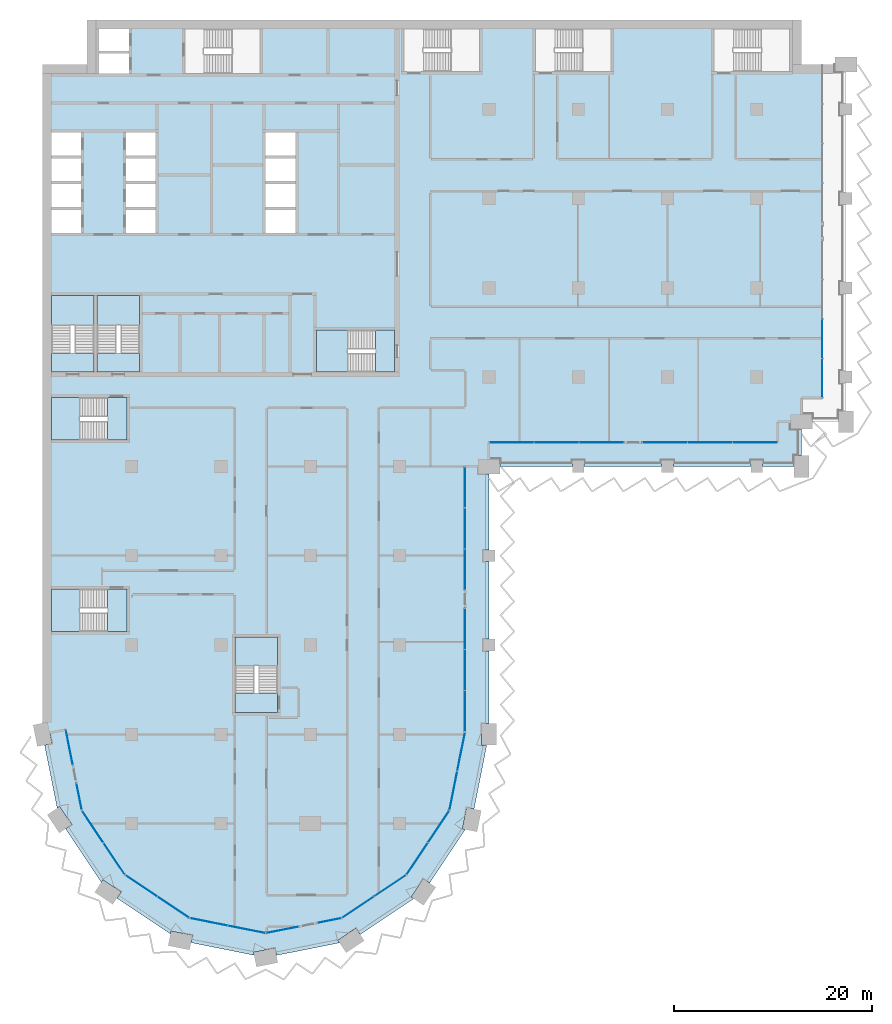
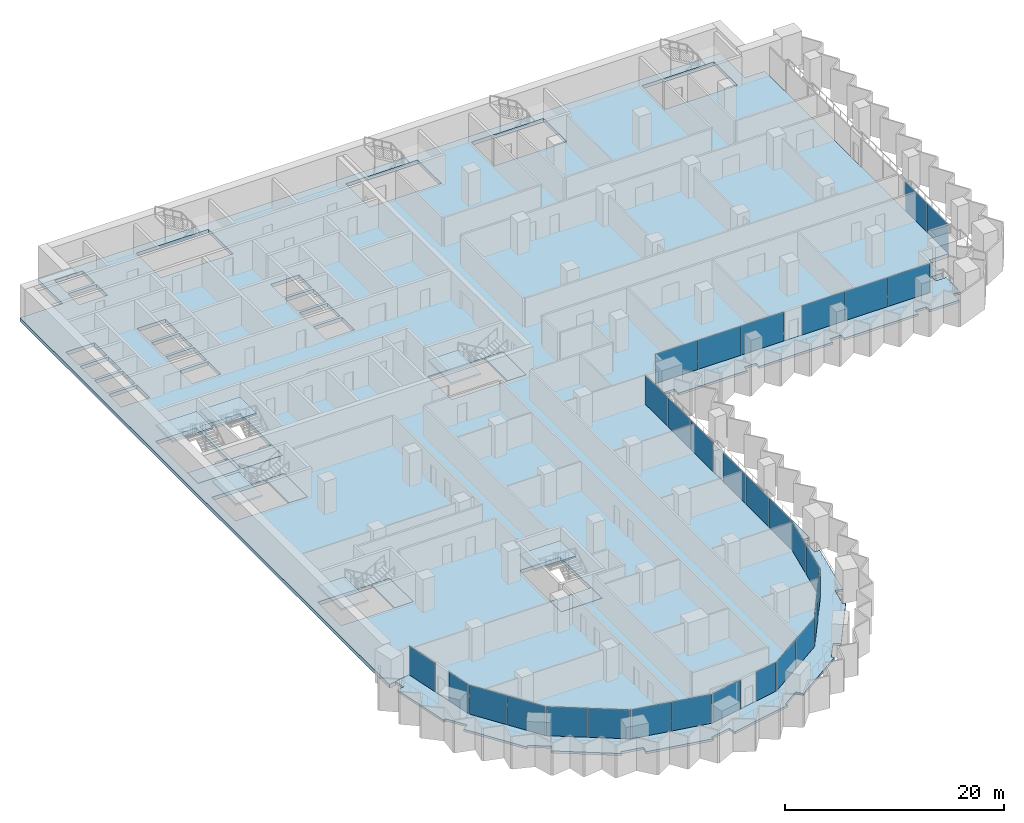
# One storey, part 7 of 22: 30 plates, 15 slabs, 21 elements without a shape of their own.
"""IFC4 building model written with IfcOpenShell, lengths in metres."""

import ifcopenshell
import ifcopenshell.guid

model = None  # the IFC model being written
_history = None  # IfcOwnerHistory: only IFC2X3 demands one
_inside = {}  # id of a spatial element -> (the spatial element, [elements in it])
_under = {}  # id of a project, library or spatial element -> (it, [spatial elements below it])
_declared = {}  # id of a project -> (the project, [libraries it declares])
_typed = {}  # id of a type object -> (the type object, [elements of that type])
_made_of = {}  # id of a material, layer set ... -> (it, [elements and type objects made of it])


def new_model(schema):
    """Start an empty IFC model of exactly this schema.

    Asked for "IFC4X3", IfcOpenShell would pick the latest addendum, in which some entities
    have other attributes; the version numbers below select the first issue.
    IFC2X3 requires an IfcOwnerHistory on every rooted entity: one is made here for all.
    """
    global model, _history
    if schema == "IFC4X3":
        model = ifcopenshell.file(schema_version=(4, 3, 0, 0))
    else:
        model = ifcopenshell.file(schema=schema)
    _inside.clear()
    _under.clear()
    _declared.clear()
    _typed.clear()
    _made_of.clear()
    _history = None
    if model.schema == "IFC2X3":
        org = make("IfcOrganization", Name="unknown")
        user = make(
            "IfcPersonAndOrganization",
            ThePerson=make("IfcPerson", FamilyName="unknown"),
            TheOrganization=org,
        )
        app = make(
            "IfcApplication",
            ApplicationDeveloper=org,
            Version="unknown",
            ApplicationFullName="unknown",
            ApplicationIdentifier="unknown",
        )
        _history = make(
            "IfcOwnerHistory",
            OwningUser=user,
            OwningApplication=app,
            ChangeAction="ADDED",
            CreationDate=0,
        )
    return model


def make(cls, **values):
    """One entity of the class cls with the attributes given. An attribute that is None is left unset."""
    return model.create_entity(
        cls, **{name: value for name, value in values.items() if value is not None}
    )


def rooted(cls, **values):
    """An entity with a GlobalId (a new one), such as an element, a storey or a relation."""
    return make(cls, GlobalId=ifcopenshell.guid.new(), OwnerHistory=_history, **values)


def si_unit(unit_type, name, prefix=None):
    """IfcSIUnit, for example si_unit("LENGTHUNIT", "METRE", prefix="MILLI")."""
    return make("IfcSIUnit", UnitType=unit_type, Prefix=prefix, Name=name)


def assignment(units):
    """IfcUnitAssignment: the units of a project."""
    return None if units is None else make("IfcUnitAssignment", Units=units)


def point(xyz):
    """IfcCartesianPoint."""
    return None if xyz is None else make("IfcCartesianPoint", Coordinates=xyz)


def direction(xyz):
    """IfcDirection."""
    return None if xyz is None else make("IfcDirection", DirectionRatios=xyz)


def frame(location, z_axis=None, x_axis=None):
    """IfcAxis2Placement3D, a coordinate frame: its origin and axes. An axis left out is left unset."""
    return make(
        "IfcAxis2Placement3D",
        Location=point(location),
        Axis=direction(z_axis),
        RefDirection=direction(x_axis),
    )


def frame_2d(location, x_axis=None):
    """IfcAxis2Placement2D, a coordinate frame in the plane: its origin and x axis."""
    return make(
        "IfcAxis2Placement2D", Location=point(location), RefDirection=direction(x_axis)
    )


def origin():
    """The frame at (0, 0, 0) with its axes left unset."""
    return frame((0.0, 0.0, 0.0))


def origin_2d():
    """The frame at (0, 0) in the plane with its x axis left unset."""
    return frame_2d((0.0, 0.0))


def place(relative_to, where):
    """IfcLocalPlacement: puts the frame where relative to a parent placement (None: the world)."""
    return make(
        "IfcLocalPlacement", PlacementRelTo=relative_to, RelativePlacement=where
    )


def context(
    kind, dimensions, precision=None, world=None, true_north=None, identifier=None
):
    """IfcGeometricRepresentationContext, for example the 3D "Model" context."""
    return make(
        "IfcGeometricRepresentationContext",
        ContextIdentifier=identifier,
        ContextType=kind,
        CoordinateSpaceDimension=dimensions,
        Precision=precision,
        WorldCoordinateSystem=world,
        TrueNorth=true_north,
    )


def subcontext(parent, identifier, kind, view, scale=None):
    """IfcGeometricRepresentationSubContext, for example "Body" below "Model"."""
    return make(
        "IfcGeometricRepresentationSubContext",
        ContextIdentifier=identifier,
        ContextType=kind,
        ParentContext=parent,
        TargetScale=scale,
        TargetView=view,
    )


def project(units=None, contexts=None):
    """IfcProject with its units and contexts."""
    return rooted(
        "IfcProject",
        Name="project",
        RepresentationContexts=contexts,
        UnitsInContext=assignment(units),
    )


def spatial(cls, under=None, at=None, **own):
    """A site, building, storey or space (cls), placed at a placement, below another one or the project."""
    s = rooted(cls, ObjectPlacement=at, **own)
    if under is not None:
        _under.setdefault(under.id(), (under, []))[1].append(s)
    return s


def polyline(points):
    """IfcPolyline through the points."""
    return make("IfcPolyline", Points=[point(p) for p in points])


def profile(cls, at=None, kind="AREA", **sizes):
    """A parametric profile (cls). Its sizes go by their IFC names, for example OverallWidth=200.0."""
    return make(cls, ProfileType=kind, Position=at, **sizes)


def rectangle(**sizes):
    """IfcRectangleProfileDef."""
    return profile("IfcRectangleProfileDef", **sizes)


def outline(outer, holes=None, kind="AREA"):
    """IfcArbitraryClosedProfileDef: a profile drawn as a closed curve; with holes, ...WithVoids."""
    if holes is None:
        return make("IfcArbitraryClosedProfileDef", ProfileType=kind, OuterCurve=outer)
    return make(
        "IfcArbitraryProfileDefWithVoids",
        ProfileType=kind,
        OuterCurve=outer,
        InnerCurves=holes,
    )


def extrude(swept, where, along, depth):
    """IfcExtrudedAreaSolid: the profile swept, set in the frame where, extruded along a direction by depth."""
    return make(
        "IfcExtrudedAreaSolid",
        SweptArea=swept,
        Position=where,
        ExtrudedDirection=direction(along),
        Depth=depth,
    )


def shape(context_of_items, identifier, shape_type, items):
    """IfcShapeRepresentation: the items that make up one representation, for example the "Body"."""
    return make(
        "IfcShapeRepresentation",
        ContextOfItems=context_of_items,
        RepresentationIdentifier=identifier,
        RepresentationType=shape_type,
        Items=items,
    )


def material(Name=None, Category=None):
    """IfcMaterial."""
    return make("IfcMaterial", Name=Name, Category=Category)


def layer(
    of_material, thickness, ventilated=None, Name=None, Category=None, Priority=None
):
    """IfcMaterialLayer: one layer of a wall or slab, of a material (None: an air gap)."""
    return make(
        "IfcMaterialLayer",
        Material=of_material,
        LayerThickness=thickness,
        IsVentilated=ventilated,
        Name=Name,
        Category=Category,
        Priority=Priority,
    )


def layer_set(layers, Name=None):
    """IfcMaterialLayerSet."""
    return make("IfcMaterialLayerSet", MaterialLayers=layers, LayerSetName=Name)


def made_of(thing, what):
    """Note that an element or type object is made of a material, layer set ...; save() writes the relation."""
    if what is not None:
        _made_of.setdefault(what.id(), (what, []))[1].append(thing)
    return thing


def type_object(cls, material=None, **own):
    """A type object (cls), such as IfcWallType, which elements share."""
    return made_of(rooted(cls, **own), material)


def element(
    cls,
    number,
    at=None,
    inside=None,
    cuts=None,
    type_object=None,
    material=None,
    context=None,
    identifier="Body",
    shape_type=None,
    held_by="IfcProductDefinitionShape",
    body=None,
    shapes=None,
    **own,
):
    """One element of the class cls, such as IfcWall. Its Tag is "e" and its number.

    at: its placement. inside: the storey or other place that contains it. cuts: it is an
    opening in that element (IfcRelVoidsElement). A single representation is given by context,
    identifier, shape_type and body (its items); several are given by shapes. held_by: the class
    of the entity that holds the representations. save() writes the other relations.
    """
    e = rooted(cls, Tag="e%d" % number, ObjectPlacement=at, **own)
    if body is not None:
        shapes = [shape(context, identifier, shape_type, body)]
    if shapes is not None:
        e.Representation = make(held_by, Representations=shapes)
    if inside is not None:
        _inside.setdefault(inside.id(), (inside, []))[1].append(e)
    if cuts is not None:
        rooted(
            "IfcRelVoidsElement", RelatingBuildingElement=cuts, RelatedOpeningElement=e
        )
    if type_object is not None:
        _typed.setdefault(type_object.id(), (type_object, []))[1].append(e)
    return made_of(e, material)


def aggregate(whole, parts):
    """IfcRelAggregates: a whole, such as a stair, and the parts it consists of."""
    return rooted("IfcRelAggregates", RelatingObject=whole, RelatedObjects=parts)


def save(model, path):
    """Write the relations noted so far, then the file.

    IfcRelAggregates (storeys below a building ...), IfcRelContainedInSpatialStructure (elements
    in a storey), IfcRelDefinesByType, IfcRelAssociatesMaterial and IfcRelDeclares: one each for
    every whole, place, type object, material and project.
    """
    for whole, parts in _under.values():
        aggregate(whole, parts)
    for where, things in _inside.values():
        rooted(
            "IfcRelContainedInSpatialStructure",
            RelatedElements=things,
            RelatingStructure=where,
        )
    for kind, things in _typed.values():
        rooted("IfcRelDefinesByType", RelatedObjects=things, RelatingType=kind)
    for what, things in _made_of.values():
        rooted("IfcRelAssociatesMaterial", RelatedObjects=things, RelatingMaterial=what)
    for by, libraries in _declared.values():
        rooted("IfcRelDeclares", RelatingContext=by, RelatedDefinitions=libraries)
    model.write(path)


model = new_model("IFC4")

# Units and contexts
model_context = context("Model", 3, precision=1e-05, world=origin(), true_north=direction((0.0, 1.0)))
body_context = subcontext(model_context, "Body", "Model", "MODEL_VIEW")
ifc_project = project(units=[si_unit("LENGTHUNIT", "METRE"), si_unit("AREAUNIT", "SQUARE_METRE"), si_unit("VOLUMEUNIT", "CUBIC_METRE"), si_unit("PLANEANGLEUNIT", "RADIAN"), si_unit("MASSUNIT", "GRAM", prefix="KILO")], contexts=[model_context])

# Site, building, storey
site_placement = place(None, origin())
site = spatial("IfcSite", under=ifc_project, at=site_placement, CompositionType="ELEMENT")
building_placement = place(site_placement, origin())
building = spatial("IfcBuilding", under=site, at=building_placement, Name="Hunhe Ridgeline Campus", CompositionType="ELEMENT")
storey_placement = place(building_placement, frame((0.0, 0.0, 84.800048828125)))
storey = spatial("IfcBuildingStorey", under=building, at=storey_placement, Name="L20", CompositionType="ELEMENT", Elevation=84.800048828125)

# Curtain wall, plate
ifc_material_1 = material(Name="Aluminium 6063", Category="aluminium")
curtain_wall_type_1 = type_object("IfcCurtainWallType", Name="Curtain wall CW-5", PredefinedType="NOTDEFINED", material=ifc_material_1)
curtain_wall_1_placement = place(storey_placement, origin())
curtain_wall_1 = element("IfcCurtainWall", 1, at=curtain_wall_1_placement, inside=storey, type_object=curtain_wall_type_1, Name="Curtain wall 01", PredefinedType="NOTDEFINED")
ifc_material_2 = material(Name="Low-e laminated glass", Category="glass")
ifc_layer_1 = layer(ifc_material_2, 0.028076171875)
ifc_layer_set_1 = layer_set([ifc_layer_1], Name="Curtain wall glass panel 28 low-e laminated")
plate_type = type_object("IfcPlateType", Name="Curtain wall glass panel 28 low-e laminated", PredefinedType="CURTAIN_PANEL", material=ifc_layer_set_1)
plate_1_placement = place(storey_placement, frame((2.7158203125, 25.65380859375, 0.0), z_axis=(0.0, 0.0, 1.0), x_axis=(0.195095326561, -0.980784284924, 0.0)))
plate_1 = element("IfcPlate", 2, at=plate_1_placement, type_object=plate_type, Name="CW-5 panel 1", PredefinedType="CURTAIN_PANEL", context=body_context, shape_type="SweptSolid", body=[
    extrude(rectangle(XDim=3.560791015625, YDim=0.028076171875, at=origin_2d()), origin(), (0.0, 0.0, 1.0), 3.22998046875),
])
aggregate(curtain_wall_1, [plate_1])

curtain_wall_2_placement = place(storey_placement, origin())
curtain_wall_2 = element("IfcCurtainWall", 3, at=curtain_wall_2_placement, inside=storey, type_object=curtain_wall_type_1, Name="Curtain wall 02", PredefinedType="NOTDEFINED")
plate_2_placement = place(storey_placement, frame((3.701171875, 20.699951171875, 0.0), z_axis=(0.0, 0.0, 1.0), x_axis=(0.195095265587, -0.980784297053, 0.0)))
plate_2 = element("IfcPlate", 4, at=plate_2_placement, type_object=plate_type, Name="CW-5 panel 1", PredefinedType="CURTAIN_PANEL", context=body_context, shape_type="SweptSolid", body=[
    extrude(rectangle(XDim=2.660888671875, YDim=0.028076171875, at=origin_2d()), origin(), (0.0, 0.0, 1.0), 3.22998046875),
])
aggregate(curtain_wall_2, [plate_2])

# Curtain wall, plates
curtain_wall_3_placement = place(storey_placement, origin())
curtain_wall_3 = element("IfcCurtainWall", 5, at=curtain_wall_3_placement, inside=storey, type_object=curtain_wall_type_1, Name="Curtain wall 03", PredefinedType="NOTDEFINED")
plate_3_placement = place(storey_placement, frame((5.07080078125, 17.685546875, 0.0), z_axis=(0.0, 0.0, 1.0), x_axis=(0.555570274596, -0.831469584522, 0.0)))
plate_3 = element("IfcPlate", 6, at=plate_3_placement, type_object=plate_type, Name="CW-5 panel 1", PredefinedType="CURTAIN_PANEL", context=body_context, shape_type="SweptSolid", body=[
    extrude(rectangle(XDim=3.806884765625, YDim=0.028076171875, at=origin_2d()), origin(), (0.0, 0.0, 1.0), 3.22998046875),
])
plate_4_placement = place(storey_placement, frame((7.224609375, 14.4619140625, 0.0), z_axis=(0.0, 0.0, 1.0), x_axis=(0.555570274596, -0.831469584522, 0.0)))
plate_4 = element("IfcPlate", 7, at=plate_4_placement, type_object=plate_type, Name="CW-5 panel 2", PredefinedType="CURTAIN_PANEL", context=body_context, shape_type="SweptSolid", body=[
    extrude(rectangle(XDim=3.806884765625, YDim=0.028076171875, at=origin_2d()), origin(), (0.0, 0.0, 1.0), 3.22998046875),
])
aggregate(curtain_wall_3, [plate_3, plate_4])

curtain_wall_4_placement = place(storey_placement, origin())
curtain_wall_4 = element("IfcCurtainWall", 8, at=curtain_wall_4_placement, inside=storey, type_object=curtain_wall_type_1, Name="Curtain wall 04", PredefinedType="NOTDEFINED")
plate_5_placement = place(storey_placement, frame((9.9619140625, 11.724609375, 0.0), z_axis=(0.0, 0.0, 1.0), x_axis=(0.831469584522, -0.555570274596, 0.0)))
plate_5 = element("IfcPlate", 9, at=plate_5_placement, type_object=plate_type, Name="CW-5 panel 1", PredefinedType="CURTAIN_PANEL", context=body_context, shape_type="SweptSolid", body=[
    extrude(rectangle(XDim=3.806884765625, YDim=0.028076171875, at=origin_2d()), origin(), (0.0, 0.0, 1.0), 3.22998046875),
])
plate_6_placement = place(storey_placement, frame((13.185546875, 9.57080078125, 0.0), z_axis=(0.0, 0.0, 1.0), x_axis=(0.831469584522, -0.555570274596, 0.0)))
plate_6 = element("IfcPlate", 10, at=plate_6_placement, type_object=plate_type, Name="CW-5 panel 2", PredefinedType="CURTAIN_PANEL", context=body_context, shape_type="SweptSolid", body=[
    extrude(rectangle(XDim=3.806884765625, YDim=0.028076171875, at=origin_2d()), origin(), (0.0, 0.0, 1.0), 3.22998046875),
])
aggregate(curtain_wall_4, [plate_5, plate_6])

curtain_wall_5_placement = place(storey_placement, origin())
curtain_wall_5 = element("IfcCurtainWall", 11, at=curtain_wall_5_placement, inside=storey, type_object=curtain_wall_type_1, Name="Curtain wall 05", PredefinedType="NOTDEFINED")
plate_7_placement = place(storey_placement, frame((16.761962890625, 8.08935546875, 0.0), z_axis=(0.0, 0.0, 1.0), x_axis=(0.980785275326, -0.195090347539, 0.0)))
plate_7 = element("IfcPlate", 12, at=plate_7_placement, type_object=plate_type, Name="CW-5 panel 1", PredefinedType="CURTAIN_PANEL", context=body_context, shape_type="SweptSolid", body=[
    extrude(rectangle(XDim=3.806884765625, YDim=0.028076171875, at=origin_2d()), origin(), (0.0, 0.0, 1.0), 3.22998046875),
])
plate_8_placement = place(storey_placement, frame((20.564453125, 7.3330078125, 0.0), z_axis=(0.0, 0.0, 1.0), x_axis=(0.980785275326, -0.195090347539, 0.0)))
plate_8 = element("IfcPlate", 13, at=plate_8_placement, type_object=plate_type, Name="CW-5 panel 2", PredefinedType="CURTAIN_PANEL", context=body_context, shape_type="SweptSolid", body=[
    extrude(rectangle(XDim=3.806884765625, YDim=0.028076171875, at=origin_2d()), origin(), (0.0, 0.0, 1.0), 3.22998046875),
])
aggregate(curtain_wall_5, [plate_7, plate_8])

# Curtain wall, plate
curtain_wall_6_placement = place(storey_placement, origin())
curtain_wall_6 = element("IfcCurtainWall", 14, at=curtain_wall_6_placement, inside=storey, type_object=curtain_wall_type_1, Name="Curtain wall 06", PredefinedType="NOTDEFINED")
plate_9_placement = place(storey_placement, frame((24.19775390625, 7.28564453125, 0.0), z_axis=(0.0, 0.0, 1.0), x_axis=(0.980785270791, 0.19509037034, 0.0)))
plate_9 = element("IfcPlate", 15, at=plate_9_placement, type_object=plate_type, Name="CW-5 panel 1", PredefinedType="CURTAIN_PANEL", context=body_context, shape_type="SweptSolid", body=[
    extrude(rectangle(XDim=3.322021484375, YDim=0.028076171875, at=origin_2d()), origin(), (0.0, 0.0, 1.0), 3.22998046875),
])
aggregate(curtain_wall_6, [plate_9])

curtain_wall_7_placement = place(storey_placement, origin())
curtain_wall_7 = element("IfcCurtainWall", 16, at=curtain_wall_7_placement, inside=storey, type_object=curtain_wall_type_1, Name="Curtain wall 07", PredefinedType="NOTDEFINED")
plate_10_placement = place(storey_placement, frame((28.917236328125, 8.224609375, 0.0), z_axis=(0.0, 0.0, 1.0), x_axis=(0.980785242091, 0.195090514627, 0.0)))
plate_10 = element("IfcPlate", 17, at=plate_10_placement, type_object=plate_type, Name="CW-5 panel 1", PredefinedType="CURTAIN_PANEL", context=body_context, shape_type="SweptSolid", body=[
    extrude(rectangle(XDim=2.421875, YDim=0.028076171875, at=origin_2d()), origin(), (0.0, 0.0, 1.0), 3.22998046875),
])
aggregate(curtain_wall_7, [plate_10])

# Curtain wall, plates
curtain_wall_8_placement = place(storey_placement, origin())
curtain_wall_8 = element("IfcCurtainWall", 18, at=curtain_wall_8_placement, inside=storey, type_object=curtain_wall_type_1, Name="Curtain wall 08", PredefinedType="NOTDEFINED")
plate_11_placement = place(storey_placement, frame((31.814453125, 9.57080078125, 0.0), z_axis=(0.0, 0.0, 1.0), x_axis=(0.831469584522, 0.555570274596, 0.0)))
plate_11 = element("IfcPlate", 19, at=plate_11_placement, type_object=plate_type, Name="CW-5 panel 1", PredefinedType="CURTAIN_PANEL", context=body_context, shape_type="SweptSolid", body=[
    extrude(rectangle(XDim=3.806884765625, YDim=0.028076171875, at=origin_2d()), origin(), (0.0, 0.0, 1.0), 3.22998046875),
])
plate_12_placement = place(storey_placement, frame((35.0380859375, 11.724609375, 0.0), z_axis=(0.0, 0.0, 1.0), x_axis=(0.831469584522, 0.555570274596, 0.0)))
plate_12 = element("IfcPlate", 20, at=plate_12_placement, type_object=plate_type, Name="CW-5 panel 2", PredefinedType="CURTAIN_PANEL", context=body_context, shape_type="SweptSolid", body=[
    extrude(rectangle(XDim=3.806884765625, YDim=0.028076171875, at=origin_2d()), origin(), (0.0, 0.0, 1.0), 3.22998046875),
])
aggregate(curtain_wall_8, [plate_11, plate_12])

curtain_wall_9_placement = place(storey_placement, origin())
curtain_wall_9 = element("IfcCurtainWall", 21, at=curtain_wall_9_placement, inside=storey, type_object=curtain_wall_type_1, Name="Curtain wall 09", PredefinedType="NOTDEFINED")
plate_13_placement = place(storey_placement, frame((37.775390625, 14.4619140625, 0.0), z_axis=(0.0, 0.0, 1.0), x_axis=(0.555570274596, 0.831469584522, 0.0)))
plate_13 = element("IfcPlate", 22, at=plate_13_placement, type_object=plate_type, Name="CW-5 panel 1", PredefinedType="CURTAIN_PANEL", context=body_context, shape_type="SweptSolid", body=[
    extrude(rectangle(XDim=3.806884765625, YDim=0.028076171875, at=origin_2d()), origin(), (0.0, 0.0, 1.0), 3.22998046875),
])
plate_14_placement = place(storey_placement, frame((39.92919921875, 17.685546875, 0.0), z_axis=(0.0, 0.0, 1.0), x_axis=(0.555570274596, 0.831469584522, 0.0)))
plate_14 = element("IfcPlate", 23, at=plate_14_placement, type_object=plate_type, Name="CW-5 panel 2", PredefinedType="CURTAIN_PANEL", context=body_context, shape_type="SweptSolid", body=[
    extrude(rectangle(XDim=3.806884765625, YDim=0.028076171875, at=origin_2d()), origin(), (0.0, 0.0, 1.0), 3.22998046875),
])
aggregate(curtain_wall_9, [plate_13, plate_14])

curtain_wall_10_placement = place(storey_placement, origin())
curtain_wall_10 = element("IfcCurtainWall", 24, at=curtain_wall_10_placement, inside=storey, type_object=curtain_wall_type_1, Name="Curtain wall 10", PredefinedType="NOTDEFINED")
plate_15_placement = place(storey_placement, frame((41.42236328125, 21.321044921875, 0.0), z_axis=(0.0, 0.0, 1.0), x_axis=(0.195090299215, 0.980785284939, 0.0)))
plate_15 = element("IfcPlate", 25, at=plate_15_placement, type_object=plate_type, Name="CW-5 panel 1", PredefinedType="CURTAIN_PANEL", context=body_context, shape_type="SweptSolid", body=[
    extrude(rectangle(XDim=3.927490234375, YDim=0.028076171875, at=origin_2d()), origin(), (0.0, 0.0, 1.0), 3.22998046875),
])
plate_16_placement = place(storey_placement, frame((42.2021484375, 25.24169921875, 0.0), z_axis=(0.0, 0.0, 1.0), x_axis=(0.195090299215, 0.980785284939, 0.0)))
plate_16 = element("IfcPlate", 26, at=plate_16_placement, type_object=plate_type, Name="CW-5 panel 2", PredefinedType="CURTAIN_PANEL", context=body_context, shape_type="SweptSolid", body=[
    extrude(rectangle(XDim=3.927490234375, YDim=0.028076171875, at=origin_2d()), origin(), (0.0, 0.0, 1.0), 3.22998046875),
])
aggregate(curtain_wall_10, [plate_15, plate_16])

curtain_wall_type_2 = type_object("IfcCurtainWallType", Name="Curtain wall CW-1", PredefinedType="NOTDEFINED", material=ifc_material_1)
curtain_wall_11_placement = place(storey_placement, origin())
curtain_wall_11 = element("IfcCurtainWall", 27, at=curtain_wall_11_placement, inside=storey, type_object=curtain_wall_type_2, Name="Curtain wall 11", PredefinedType="NOTDEFINED")
plate_17_placement = place(storey_placement, frame((42.59912109375, 29.331787109375, 0.0), z_axis=(0.0, 0.0, 1.0), x_axis=(1.0975712e-05, 0.99999999994, 0.0)))
plate_17 = element("IfcPlate", 28, at=plate_17_placement, type_object=plate_type, Name="CW-1 panel 1", PredefinedType="CURTAIN_PANEL", context=body_context, shape_type="SweptSolid", body=[
    extrude(rectangle(XDim=4.07080078125, YDim=0.028076171875, at=origin_2d()), origin(), (0.0, 0.0, 1.0), 3.239990234375),
])
plate_18_placement = place(storey_placement, frame((42.59912109375, 33.4775390625, 0.0), z_axis=(0.0, 0.0, 1.0), x_axis=(1.0975712e-05, 0.99999999994, 0.0)))
plate_18 = element("IfcPlate", 29, at=plate_18_placement, type_object=plate_type, Name="CW-1 panel 2", PredefinedType="CURTAIN_PANEL", context=body_context, shape_type="SweptSolid", body=[
    extrude(rectangle(XDim=4.1005859375, YDim=0.028076171875, at=origin_2d()), origin(), (0.0, 0.0, 1.0), 3.239990234375),
])
plate_19_placement = place(storey_placement, frame((42.59912109375, 37.623291015625, 0.0), z_axis=(0.0, 0.0, 1.0), x_axis=(1.0975712e-05, 0.99999999994, 0.0)))
plate_19 = element("IfcPlate", 30, at=plate_19_placement, type_object=plate_type, Name="CW-1 panel 3", PredefinedType="CURTAIN_PANEL", context=body_context, shape_type="SweptSolid", body=[
    extrude(rectangle(XDim=4.07080078125, YDim=0.028076171875, at=origin_2d()), origin(), (0.0, 0.0, 1.0), 3.239990234375),
])
aggregate(curtain_wall_11, [plate_17, plate_18, plate_19])

curtain_wall_12_placement = place(storey_placement, origin())
curtain_wall_12 = element("IfcCurtainWall", 31, at=curtain_wall_12_placement, inside=storey, type_object=curtain_wall_type_2, Name="Curtain wall 12", PredefinedType="NOTDEFINED")
plate_20_placement = place(storey_placement, frame((42.59912109375, 43.614013671875, 0.0), z_axis=(0.0, 0.0, 1.0), x_axis=(1.0975712e-05, 0.99999999994, 0.0)))
plate_20 = element("IfcPlate", 32, at=plate_20_placement, type_object=plate_type, Name="CW-1 panel 1", PredefinedType="CURTAIN_PANEL", context=body_context, shape_type="SweptSolid", body=[
    extrude(rectangle(XDim=4.07080078125, YDim=0.028076171875, at=origin_2d()), origin(), (0.0, 0.0, 1.0), 3.239990234375),
])
plate_21_placement = place(storey_placement, frame((42.59912109375, 47.759765625, 0.0), z_axis=(0.0, 0.0, 1.0), x_axis=(1.0975712e-05, 0.99999999994, 0.0)))
plate_21 = element("IfcPlate", 33, at=plate_21_placement, type_object=plate_type, Name="CW-1 panel 2", PredefinedType="CURTAIN_PANEL", context=body_context, shape_type="SweptSolid", body=[
    extrude(rectangle(XDim=4.1005859375, YDim=0.028076171875, at=origin_2d()), origin(), (0.0, 0.0, 1.0), 3.239990234375),
])
plate_22_placement = place(storey_placement, frame((42.599365234375, 51.9052734375, 0.0), z_axis=(0.0, 0.0, 1.0), x_axis=(1.0975712e-05, 0.99999999994, 0.0)))
plate_22 = element("IfcPlate", 34, at=plate_22_placement, type_object=plate_type, Name="CW-1 panel 3", PredefinedType="CURTAIN_PANEL", context=body_context, shape_type="SweptSolid", body=[
    extrude(rectangle(XDim=4.07080078125, YDim=0.028076171875, at=origin_2d()), origin(), (0.0, 0.0, 1.0), 3.239990234375),
])
aggregate(curtain_wall_12, [plate_20, plate_21, plate_22])

curtain_wall_13_placement = place(storey_placement, origin())
curtain_wall_13 = element("IfcCurtainWall", 35, at=curtain_wall_13_placement, inside=storey, type_object=curtain_wall_type_2, Name="Curtain wall 13", PredefinedType="NOTDEFINED")
plate_23_placement = place(storey_placement, frame((47.289794921875, 56.40087890625, 0.0), z_axis=(0.0, 0.0, 1.0), x_axis=(1.0, 1.4652e-07, 0.0)))
plate_23 = element("IfcPlate", 36, at=plate_23_placement, type_object=plate_type, Name="CW-1 panel 1", PredefinedType="CURTAIN_PANEL", context=body_context, shape_type="SweptSolid", body=[
    extrude(rectangle(XDim=4.4599609375, YDim=0.028076171875, at=origin_2d()), origin(), (0.0, 0.0, 1.0), 3.239990234375),
])
plate_24_placement = place(storey_placement, frame((51.82470703125, 56.40087890625, 0.0), z_axis=(0.0, 0.0, 1.0), x_axis=(1.0, 1.4652e-07, 0.0)))
plate_24 = element("IfcPlate", 37, at=plate_24_placement, type_object=plate_type, Name="CW-1 panel 2", PredefinedType="CURTAIN_PANEL", context=body_context, shape_type="SweptSolid", body=[
    extrude(rectangle(XDim=4.48974609375, YDim=0.028076171875, at=origin_2d()), origin(), (0.0, 0.0, 1.0), 3.239990234375),
])
plate_25_placement = place(storey_placement, frame((56.359619140625, 56.40087890625, 0.0), z_axis=(0.0, 0.0, 1.0), x_axis=(1.0, 1.4652e-07, 0.0)))
plate_25 = element("IfcPlate", 38, at=plate_25_placement, type_object=plate_type, Name="CW-1 panel 3", PredefinedType="CURTAIN_PANEL", context=body_context, shape_type="SweptSolid", body=[
    extrude(rectangle(XDim=4.4599609375, YDim=0.028076171875, at=origin_2d()), origin(), (0.0, 0.0, 1.0), 3.239990234375),
])
aggregate(curtain_wall_13, [plate_23, plate_24, plate_25])

curtain_wall_14_placement = place(storey_placement, origin())
curtain_wall_14 = element("IfcCurtainWall", 39, at=curtain_wall_14_placement, inside=storey, type_object=curtain_wall_type_2, Name="Curtain wall 14", PredefinedType="NOTDEFINED")
plate_26_placement = place(storey_placement, frame((62.7392578125, 56.40087890625, 0.0), z_axis=(0.0, 0.0, 1.0), x_axis=(1.0, 1.4652e-07, 0.0)))
plate_26 = element("IfcPlate", 40, at=plate_26_placement, type_object=plate_type, Name="CW-1 panel 1", PredefinedType="CURTAIN_PANEL", context=body_context, shape_type="SweptSolid", body=[
    extrude(rectangle(XDim=4.4599609375, YDim=0.028076171875, at=origin_2d()), origin(), (0.0, 0.0, 1.0), 3.239990234375),
])
plate_27_placement = place(storey_placement, frame((67.274169921875, 56.40087890625, 0.0), z_axis=(0.0, 0.0, 1.0), x_axis=(1.0, 1.4652e-07, 0.0)))
plate_27 = element("IfcPlate", 41, at=plate_27_placement, type_object=plate_type, Name="CW-1 panel 2", PredefinedType="CURTAIN_PANEL", context=body_context, shape_type="SweptSolid", body=[
    extrude(rectangle(XDim=4.48974609375, YDim=0.028076171875, at=origin_2d()), origin(), (0.0, 0.0, 1.0), 3.239990234375),
])
plate_28_placement = place(storey_placement, frame((71.80908203125, 56.40087890625, 0.0), z_axis=(0.0, 0.0, 1.0), x_axis=(1.0, 1.4652e-07, 0.0)))
plate_28 = element("IfcPlate", 42, at=plate_28_placement, type_object=plate_type, Name="CW-1 panel 3", PredefinedType="CURTAIN_PANEL", context=body_context, shape_type="SweptSolid", body=[
    extrude(rectangle(XDim=4.4599609375, YDim=0.028076171875, at=origin_2d()), origin(), (0.0, 0.0, 1.0), 3.239990234375),
])
aggregate(curtain_wall_14, [plate_26, plate_27, plate_28])

curtain_wall_15_placement = place(storey_placement, origin())
curtain_wall_15 = element("IfcCurtainWall", 43, at=curtain_wall_15_placement, inside=storey, type_object=curtain_wall_type_2, Name="Curtain wall 15", PredefinedType="NOTDEFINED")
plate_29_placement = place(storey_placement, frame((78.59912109375, 62.9033203125, 0.0), z_axis=(0.0, 0.0, 1.0), x_axis=(0.0, 1.0, 0.0)))
plate_29 = element("IfcPlate", 44, at=plate_29_placement, type_object=plate_type, Name="CW-1 panel 1", PredefinedType="CURTAIN_PANEL", context=body_context, shape_type="SweptSolid", body=[
    extrude(rectangle(XDim=3.884765625, YDim=0.028076171875, at=origin_2d()), origin(), (0.0, 0.0, 1.0), 3.239990234375),
])
plate_30_placement = place(storey_placement, frame((78.59912109375, 66.86328125, 0.0), z_axis=(0.0, 0.0, 1.0), x_axis=(0.0, 1.0, 0.0)))
plate_30 = element("IfcPlate", 45, at=plate_30_placement, type_object=plate_type, Name="CW-1 panel 2", PredefinedType="CURTAIN_PANEL", context=body_context, shape_type="SweptSolid", body=[
    extrude(rectangle(XDim=3.914794921875, YDim=0.028076171875, at=origin_2d()), origin(), (0.0, 0.0, 1.0), 3.239990234375),
])
aggregate(curtain_wall_15, [plate_29, plate_30])

# Slabs
ifc_material_3 = material(Name="Concrete C40", Category="concrete")
ifc_layer_2 = layer(ifc_material_3, 0.39990234375)
ifc_layer_set_2 = layer_set([ifc_layer_2], Name="Floor slab 400 Concrete C40")
slab_type_1 = type_object("IfcSlabType", Name="Floor slab 400 Concrete C40", PredefinedType="FLOOR", material=ifc_layer_set_2)
slab_1_placement = place(storey_placement, frame((0.0, 0.0, -0.400146484375)))
element("IfcSlab", 46, at=slab_1_placement, inside=storey, type_object=slab_type_1, Name="Floor slab L20 1", PredefinedType="FLOOR", context=body_context, shape_type="SweptSolid", body=[
    extrude(outline(polyline([(0.0, 27.0009765625), (2.354736328125, 27.46875), (3.974365234375, 19.326416015625), (8.321044921875, 12.821044921875), (14.826416015625, 8.474365234375), (22.5, 6.947998046875), (30.173583984375, 8.474365234375), (36.678955078125, 12.821044921875), (41.025634765625, 19.326416015625), (42.59912109375, 27.236572265625), (42.599365234375, 54.000732421875), (44.9990234375, 54.0009765625), (45.0, 56.40087890625), (74.09912109375, 56.40087890625), (74.099365234375, 58.500732421875), (76.4990234375, 58.5009765625), (76.499267578125, 60.900634765625), (78.59912109375, 60.90087890625), (78.59912109375, 94.5), (76.5, 94.5), (76.5, 99.0), (4.5, 99.0), (4.5, 94.5), (0.0, 94.5), (0.0, 27.0009765625)]), holes=[polyline([(67.699951171875, 93.800048828125), (75.300048828125, 93.800048828125), (75.300048828125, 98.10009765625), (67.699951171875, 98.10009765625), (67.699951171875, 93.800048828125)]), polyline([(57.300048828125, 93.800048828125), (57.300048828125, 98.10009765625), (49.699951171875, 98.10009765625), (49.699951171875, 93.800048828125), (57.300048828125, 93.800048828125)]), polyline([(44.050048828125, 98.10009765625), (36.449951171875, 98.10009765625), (36.449951171875, 93.800048828125), (44.050048828125, 93.800048828125), (44.050048828125, 98.10009765625)]), polyline([(27.60009765625, 67.75), (27.60009765625, 63.5), (35.5, 63.5), (35.5, 67.75), (27.60009765625, 67.75)]), polyline([(25.5, 85.35009765625), (25.5, 87.64990234375), (22.5, 87.64990234375), (22.5, 85.35009765625), (25.5, 85.35009765625)]), polyline([(25.5, 85.050048828125), (22.5, 85.050048828125), (22.5, 82.75), (25.5, 82.75), (25.5, 85.050048828125)]), polyline([(22.5, 82.449951171875), (22.5, 80.14990234375), (25.5, 80.14990234375), (25.5, 82.449951171875), (22.5, 82.449951171875)]), polyline([(22.5, 77.550048828125), (25.5, 77.550048828125), (25.5, 79.85009765625), (22.5, 79.85009765625), (22.5, 77.550048828125)]), polyline([(19.39990234375, 29.199951171875), (23.699951171875, 29.199951171875), (23.699951171875, 36.800048828125), (19.39990234375, 36.800048828125), (19.39990234375, 29.199951171875)]), polyline([(21.949951171875, 98.10009765625), (14.35009765625, 98.10009765625), (14.35009765625, 93.60009765625), (21.949951171875, 93.60009765625), (21.949951171875, 98.10009765625)]), polyline([(8.39990234375, 82.449951171875), (8.39990234375, 80.14990234375), (11.39990234375, 80.14990234375), (11.39990234375, 82.449951171875), (8.39990234375, 82.449951171875)]), polyline([(11.39990234375, 85.35009765625), (11.39990234375, 87.64990234375), (8.39990234375, 87.64990234375), (8.39990234375, 85.35009765625), (11.39990234375, 85.35009765625)]), polyline([(11.39990234375, 85.050048828125), (8.39990234375, 85.050048828125), (8.39990234375, 82.75), (11.39990234375, 82.75), (11.39990234375, 85.050048828125)]), polyline([(8.39990234375, 77.550048828125), (11.39990234375, 77.550048828125), (11.39990234375, 79.85009765625), (8.39990234375, 79.85009765625), (8.39990234375, 77.550048828125)]), polyline([(5.5, 63.5), (9.800048828125, 63.5), (9.800048828125, 71.25), (5.5, 71.25), (5.5, 63.5)]), polyline([(5.699951171875, 98.10009765625), (5.699951171875, 95.89990234375), (8.699951171875, 95.89990234375), (8.699951171875, 98.10009765625), (5.699951171875, 98.10009765625)]), polyline([(5.699951171875, 93.60009765625), (8.699951171875, 93.60009765625), (8.699951171875, 95.60009765625), (5.699951171875, 95.60009765625), (5.699951171875, 93.60009765625)]), polyline([(0.89990234375, 60.949951171875), (0.89990234375, 56.64990234375), (8.5, 56.64990234375), (8.5, 60.949951171875), (0.89990234375, 60.949951171875)]), polyline([(0.89990234375, 37.35009765625), (8.5, 37.35009765625), (8.5, 41.64990234375), (0.89990234375, 41.64990234375), (0.89990234375, 37.35009765625)]), polyline([(5.199951171875, 63.5), (5.199951171875, 71.25), (0.89990234375, 71.25), (0.89990234375, 63.5), (5.199951171875, 63.5)]), polyline([(3.89990234375, 85.35009765625), (3.89990234375, 87.64990234375), (0.89990234375, 87.64990234375), (0.89990234375, 85.35009765625), (3.89990234375, 85.35009765625)]), polyline([(3.89990234375, 85.050048828125), (0.89990234375, 85.050048828125), (0.89990234375, 82.75), (3.89990234375, 82.75), (3.89990234375, 85.050048828125)]), polyline([(0.89990234375, 82.449951171875), (0.89990234375, 80.14990234375), (3.89990234375, 80.14990234375), (3.89990234375, 82.449951171875), (0.89990234375, 82.449951171875)]), polyline([(0.89990234375, 77.550048828125), (3.89990234375, 77.550048828125), (3.89990234375, 79.85009765625), (0.89990234375, 79.85009765625), (0.89990234375, 77.550048828125)])]), origin(), (0.0, 0.0, 1.0), 0.400146484375),
])
ifc_layer_3 = layer(ifc_material_3, 0.25)
ifc_layer_set_3 = layer_set([ifc_layer_3], Name="Loggia slab 250 Concrete C40")
slab_type_2 = type_object("IfcSlabType", Name="Loggia slab 250 Concrete C40", PredefinedType="FLOOR", material=ifc_layer_set_3)
slab_2_placement = place(storey_placement, frame((0.0, 0.0, -0.25)))
element("IfcSlab", 47, at=slab_2_placement, inside=storey, type_object=slab_type_2, Name="Loggia slab 1", PredefinedType="FLOOR", context=body_context, shape_type="SweptSolid", body=[
    extrude(outline(polyline([(30.173828125, 8.473388671875), (22.5, 6.947021484375), (14.826171875, 8.473388671875), (8.3203125, 12.8203125), (3.973388671875, 19.326171875), (2.35400390625, 27.46826171875), (0.735595703125, 27.146240234375), (0.9501953125, 26.0673828125), (0.214599609375, 25.921142578125), (1.48046875, 19.557373046875), (1.72509765625, 19.720947265625), (2.947509765625, 17.8916015625), (2.32373046875, 17.47509765625), (5.9287109375, 12.080078125), (6.092041015625, 12.32470703125), (7.92138671875, 11.1025390625), (7.504638671875, 10.47900390625), (12.899658203125, 6.874267578125), (12.95703125, 7.162841796875), (15.11474609375, 6.733642578125), (14.968505859375, 5.998046875), (21.332275390625, 4.732177734375), (21.27490234375, 5.02099609375), (23.4326171875, 5.4501953125), (23.578857421875, 4.714599609375), (29.942626953125, 5.98046875), (29.779052734375, 6.22509765625), (31.6083984375, 7.447509765625), (32.02490234375, 6.82373046875), (37.419921875, 10.4287109375), (37.17529296875, 10.592041015625), (38.3974609375, 12.42138671875), (39.02099609375, 12.004638671875), (42.625732421875, 17.399658203125), (42.337158203125, 17.45703125), (42.766357421875, 19.61474609375), (43.501953125, 19.468505859375), (44.78125, 25.89990234375), (44.25, 25.89990234375), (44.25, 28.10009765625), (45.0, 28.10009765625), (45.0, 35.39990234375), (44.39990234375, 35.39990234375), (44.39990234375, 36.60009765625), (45.0, 36.60009765625), (45.0, 44.39990234375), (44.39990234375, 44.39990234375), (44.39990234375, 45.60009765625), (45.0, 45.60009765625), (45.0, 53.25), (43.89990234375, 53.25), (43.89990234375, 54.0), (42.60009765625, 54.0), (42.60009765625, 27.236328125), (41.026611328125, 19.326171875), (36.6796875, 12.8203125), (30.173828125, 8.473388671875)])), origin(), (0.0, 0.0, 1.0), 0.25),
])
slab_3_placement = place(storey_placement, frame((0.0, 0.0, -0.25)))
element("IfcSlab", 48, at=slab_3_placement, inside=storey, type_object=slab_type_2, Name="Loggia slab 2", PredefinedType="FLOOR", context=body_context, shape_type="SweptSolid", body=[
    extrude(outline(polyline([(45.0, 54.75), (46.10009765625, 54.75), (46.10009765625, 54.0), (53.39990234375, 54.0), (53.39990234375, 54.60009765625), (54.60009765625, 54.60009765625), (54.60009765625, 54.0), (62.39990234375, 54.0), (62.39990234375, 54.60009765625), (63.60009765625, 54.60009765625), (63.60009765625, 54.0), (71.39990234375, 54.0), (71.39990234375, 54.60009765625), (72.60009765625, 54.60009765625), (72.60009765625, 54.0), (75.75, 54.0), (75.75, 55.10009765625), (76.5, 55.10009765625), (76.5, 57.75), (75.39990234375, 57.75), (75.39990234375, 58.5), (74.10009765625, 58.5), (74.10009765625, 56.39990234375), (45.0, 56.39990234375), (45.0, 54.75)])), origin(), (0.0, 0.0, 1.0), 0.25),
])

# Stair, slab
stair_type = type_object("IfcStairType", Name="Reinforced concrete dog-leg stair 1950 Concrete C40", PredefinedType="HALF_TURN_STAIR", material=ifc_material_3)
stair_1_placement = place(storey_placement, origin())
stair_1 = element("IfcStair", 49, at=stair_1_placement, inside=storey, type_object=stair_type, Name="L20 S2", PredefinedType="HALF_TURN_STAIR")
ifc_layer_4 = layer(ifc_material_3, 0.199951171875)
ifc_layer_set_4 = layer_set([ifc_layer_4], Name="Reinforced concrete stair landing 200 Concrete C40")
slab_type_3 = type_object("IfcSlabType", Name="Reinforced concrete stair landing 200 Concrete C40", PredefinedType="LANDING", material=ifc_layer_set_4)
slab_4_placement = place(storey_placement, frame((0.0, 0.0, 1.64990234375)))
slab_4 = element("IfcSlab", 50, at=slab_4_placement, type_object=slab_type_3, Name="ST2 landing 1", PredefinedType="LANDING", context=body_context, shape_type="SweptSolid", body=[
    extrude(outline(polyline([(30.75, 67.75), (27.60009765625, 67.75), (27.60009765625, 63.5), (30.75, 63.5), (30.75, 67.75)])), origin(), (0.0, 0.0, 1.0), 0.199951171875),
])
aggregate(stair_1, [slab_4])

# Slab
slab_5_placement = place(storey_placement, frame((0.0, 0.0, -0.199951171875)))
element("IfcSlab", 51, at=slab_5_placement, inside=storey, type_object=slab_type_3, Name="L20 stair S2 floor landing", PredefinedType="LANDING", context=body_context, shape_type="SweptSolid", body=[
    extrude(outline(polyline([(35.5, 67.75), (33.550048828125, 67.75), (33.550048828125, 63.5), (35.5, 63.5), (35.5, 67.75)])), origin(), (0.0, 0.0, 1.0), 0.199951171875),
])

# Stair, slab
stair_2_placement = place(storey_placement, origin())
stair_2 = element("IfcStair", 52, at=stair_2_placement, inside=storey, type_object=stair_type, Name="L20 S3", PredefinedType="HALF_TURN_STAIR")
slab_6_placement = place(storey_placement, frame((0.0, 0.0, 1.64990234375)))
slab_6 = element("IfcSlab", 53, at=slab_6_placement, type_object=slab_type_3, Name="ST3 landing 1", PredefinedType="LANDING", context=body_context, shape_type="SweptSolid", body=[
    extrude(outline(polyline([(5.199951171875, 68.25), (5.199951171875, 71.25), (0.89990234375, 71.25), (0.89990234375, 68.25), (5.199951171875, 68.25)])), origin(), (0.0, 0.0, 1.0), 0.199951171875),
])
aggregate(stair_2, [slab_6])

# Slab
slab_7_placement = place(storey_placement, frame((0.0, 0.0, -0.199951171875)))
element("IfcSlab", 54, at=slab_7_placement, inside=storey, type_object=slab_type_3, Name="L20 stair S3 floor landing", PredefinedType="LANDING", context=body_context, shape_type="SweptSolid", body=[
    extrude(outline(polyline([(5.199951171875, 63.5), (5.199951171875, 65.449951171875), (0.89990234375, 65.449951171875), (0.89990234375, 63.5), (5.199951171875, 63.5)])), origin(), (0.0, 0.0, 1.0), 0.199951171875),
])

# Stair, slab
stair_3_placement = place(storey_placement, origin())
stair_3 = element("IfcStair", 55, at=stair_3_placement, inside=storey, type_object=stair_type, Name="L20 S4", PredefinedType="HALF_TURN_STAIR")
slab_8_placement = place(storey_placement, frame((0.0, 0.0, 1.64990234375)))
slab_8 = element("IfcSlab", 56, at=slab_8_placement, type_object=slab_type_3, Name="ST4 landing 1", PredefinedType="LANDING", context=body_context, shape_type="SweptSolid", body=[
    extrude(outline(polyline([(9.800048828125, 68.25), (9.800048828125, 71.25), (5.5, 71.25), (5.5, 68.25), (9.800048828125, 68.25)])), origin(), (0.0, 0.0, 1.0), 0.199951171875),
])
aggregate(stair_3, [slab_8])

# Slab
slab_9_placement = place(storey_placement, frame((0.0, 0.0, -0.199951171875)))
element("IfcSlab", 57, at=slab_9_placement, inside=storey, type_object=slab_type_3, Name="L20 stair S4 floor landing", PredefinedType="LANDING", context=body_context, shape_type="SweptSolid", body=[
    extrude(outline(polyline([(9.800048828125, 63.5), (9.800048828125, 65.449951171875), (5.5, 65.449951171875), (5.5, 63.5), (9.800048828125, 63.5)])), origin(), (0.0, 0.0, 1.0), 0.199951171875),
])

# Stair, slab
stair_4_placement = place(storey_placement, origin())
stair_4 = element("IfcStair", 58, at=stair_4_placement, inside=storey, type_object=stair_type, Name="L20 W3", PredefinedType="HALF_TURN_STAIR")
slab_10_placement = place(storey_placement, frame((0.0, 0.0, 1.64990234375)))
slab_10 = element("IfcSlab", 59, at=slab_10_placement, type_object=slab_type_3, Name="ST9 landing 1", PredefinedType="LANDING", context=body_context, shape_type="SweptSolid", body=[
    extrude(outline(polyline([(23.699951171875, 33.949951171875), (23.699951171875, 36.800048828125), (19.39990234375, 36.800048828125), (19.39990234375, 33.949951171875), (23.699951171875, 33.949951171875)])), origin(), (0.0, 0.0, 1.0), 0.199951171875),
])
aggregate(stair_4, [slab_10])

# Slab
slab_11_placement = place(storey_placement, frame((0.0, 0.0, -0.199951171875)))
element("IfcSlab", 60, at=slab_11_placement, inside=storey, type_object=slab_type_3, Name="L20 stair W3 floor landing", PredefinedType="LANDING", context=body_context, shape_type="SweptSolid", body=[
    extrude(outline(polyline([(23.699951171875, 29.199951171875), (23.699951171875, 31.14990234375), (19.39990234375, 31.14990234375), (19.39990234375, 29.199951171875), (23.699951171875, 29.199951171875)])), origin(), (0.0, 0.0, 1.0), 0.199951171875),
])

# Stair, slab
stair_5_placement = place(storey_placement, origin())
stair_5 = element("IfcStair", 61, at=stair_5_placement, inside=storey, type_object=stair_type, Name="L20 W1", PredefinedType="HALF_TURN_STAIR")
slab_12_placement = place(storey_placement, frame((0.0, 0.0, 1.64990234375)))
slab_12 = element("IfcSlab", 62, at=slab_12_placement, type_object=slab_type_3, Name="ST11 landing 1", PredefinedType="LANDING", context=body_context, shape_type="SweptSolid", body=[
    extrude(outline(polyline([(3.75, 41.64990234375), (0.89990234375, 41.64990234375), (0.89990234375, 37.35009765625), (3.75, 37.35009765625), (3.75, 41.64990234375)])), origin(), (0.0, 0.0, 1.0), 0.199951171875),
])
aggregate(stair_5, [slab_12])

# Slab
slab_13_placement = place(storey_placement, frame((0.0, 0.0, -0.199951171875)))
element("IfcSlab", 63, at=slab_13_placement, inside=storey, type_object=slab_type_3, Name="L20 stair W1 floor landing", PredefinedType="LANDING", context=body_context, shape_type="SweptSolid", body=[
    extrude(outline(polyline([(8.5, 41.64990234375), (6.550048828125, 41.64990234375), (6.550048828125, 37.35009765625), (8.5, 37.35009765625), (8.5, 41.64990234375)])), origin(), (0.0, 0.0, 1.0), 0.199951171875),
])

# Stair, slab
stair_6_placement = place(storey_placement, origin())
stair_6 = element("IfcStair", 64, at=stair_6_placement, inside=storey, type_object=stair_type, Name="L20 W2", PredefinedType="HALF_TURN_STAIR")
slab_14_placement = place(storey_placement, frame((0.0, 0.0, 1.64990234375)))
slab_14 = element("IfcSlab", 65, at=slab_14_placement, type_object=slab_type_3, Name="ST12 landing 1", PredefinedType="LANDING", context=body_context, shape_type="SweptSolid", body=[
    extrude(outline(polyline([(3.75, 60.949951171875), (0.89990234375, 60.949951171875), (0.89990234375, 56.64990234375), (3.75, 56.64990234375), (3.75, 60.949951171875)])), origin(), (0.0, 0.0, 1.0), 0.199951171875),
])
aggregate(stair_6, [slab_14])

# Slab
slab_15_placement = place(storey_placement, frame((0.0, 0.0, -0.199951171875)))
element("IfcSlab", 66, at=slab_15_placement, inside=storey, type_object=slab_type_3, Name="L20 stair W2 floor landing", PredefinedType="LANDING", context=body_context, shape_type="SweptSolid", body=[
    extrude(outline(polyline([(8.5, 60.949951171875), (6.550048828125, 60.949951171875), (6.550048828125, 56.64990234375), (8.5, 56.64990234375), (8.5, 60.949951171875)])), origin(), (0.0, 0.0, 1.0), 0.199951171875),
])

save(model, "model.ifc")
